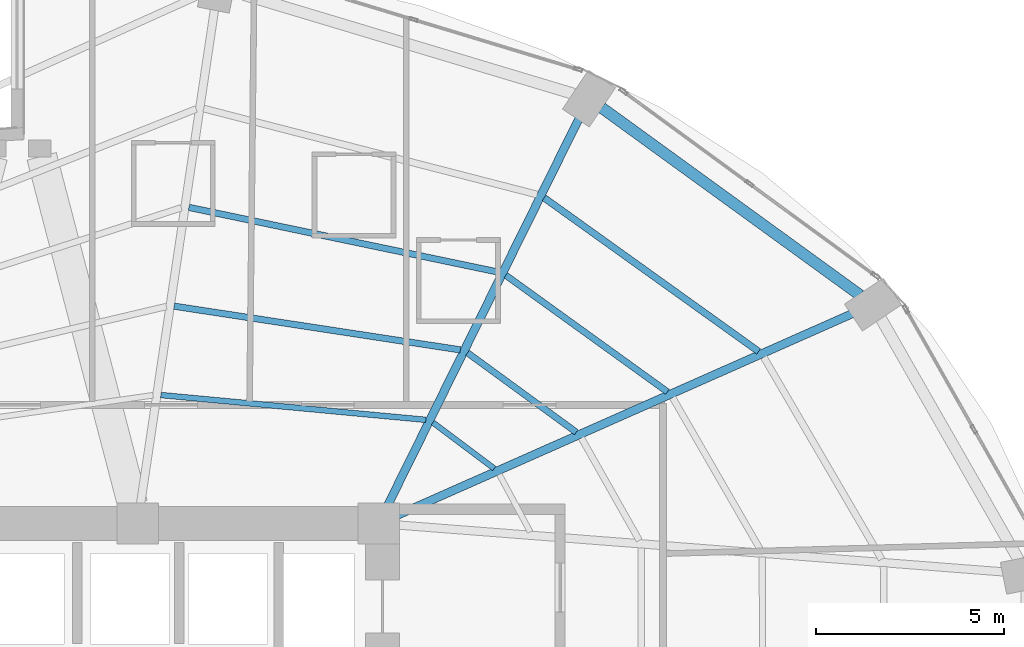
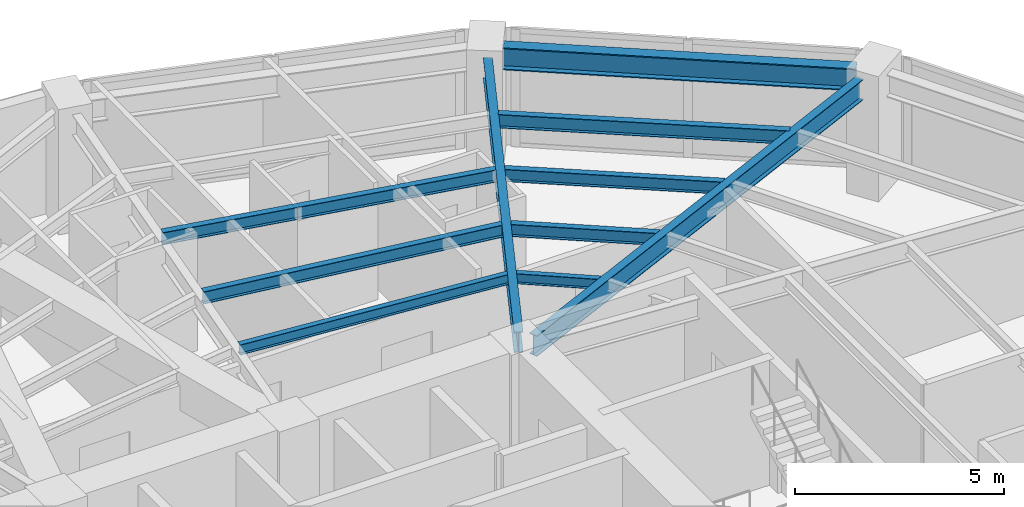
# One storey, part 16 of 25: 10 beams.
"""IFC4 building model written with IfcOpenShell, lengths in metres."""

from ifc_helpers import new_model, si_unit, direction, frame, origin, origin_2d, place, context, subcontext, project, spatial, i_section, extrude, material, material_profile, profile_set, type_object, element, save


model = new_model("IFC4")

# Units and contexts
model_context = context("Model", 3, precision=1e-05, world=origin(), true_north=direction((0.0, 1.0)))
body_context = subcontext(model_context, "Body", "Model", "MODEL_VIEW")
ifc_project = project(units=[si_unit("LENGTHUNIT", "METRE"), si_unit("AREAUNIT", "SQUARE_METRE"), si_unit("VOLUMEUNIT", "CUBIC_METRE"), si_unit("PLANEANGLEUNIT", "RADIAN"), si_unit("MASSUNIT", "GRAM", prefix="KILO")], contexts=[model_context])

# Site, building, storey
site_placement = place(None, origin())
site = spatial("IfcSite", under=ifc_project, at=site_placement, CompositionType="ELEMENT")
building_placement = place(site_placement, origin())
building = spatial("IfcBuilding", under=site, at=building_placement, Name="Lazwardi Medical Tower", CompositionType="ELEMENT")
storey_placement = place(building_placement, frame((0.0, 0.0, 32.49609375)))
storey = spatial("IfcBuildingStorey", under=building, at=storey_placement, Name="L07", CompositionType="ELEMENT", Elevation=32.49609375)

# Beams
ifc_material = material(Name="Steel S355", Category="steel")
ifc_material_profile_1 = material_profile(ifc_material, i_section(OverallWidth=0.300048828125, OverallDepth=0.64990234375, WebThickness=0.01611328125, FlangeThickness=0.031005859375, at=origin_2d()), Name="HEB 650")
ifc_profile_set_1 = profile_set([ifc_material_profile_1], Name="Steel S355")
beam_type_1 = type_object("IfcBeamType", Name="BM-RB-Z1", PredefinedType="BEAM", material=ifc_profile_set_1)
beam_1_placement = place(storey_placement, frame((58.3798828125, 41.660888671875, 3.10302734375), z_axis=(-0.809407079515, 0.587247971159, 0.0), x_axis=(-0.587247971159, -0.809407079515, 0.0)))
element("IfcBeam", 1, at=beam_1_placement, inside=storey, type_object=beam_type_1, Name="Ring beam RB-02 B06 L07", PredefinedType="BEAM", context=body_context, shape_type="SweptSolid", body=[
    extrude(i_section(OverallWidth=0.300048828125, OverallDepth=0.64990234375, WebThickness=0.01611328125, FlangeThickness=0.031005859375, at=origin_2d()), origin(), (0.0, 0.0, 1.0), 8.473876953125),
])
ifc_material_profile_2 = material_profile(ifc_material, i_section(OverallWidth=0.219970703125, OverallDepth=0.60009765625, WebThickness=0.011962890625, FlangeThickness=0.01904296875, at=origin_2d()), Name="IPE 600")
ifc_profile_set_2 = profile_set([ifc_material_profile_2], Name="Steel S355")
beam_type_2 = type_object("IfcBeamType", Name="BM-RG-W1", PredefinedType="BEAM", material=ifc_profile_set_2)
beam_2_placement = place(storey_placement, frame((58.189697265625, 41.17919921875, 3.1279296875), z_axis=(-0.914252189566, -0.405145571214, 0.0), x_axis=(0.405145571214, -0.914252189566, 0.0)))
element("IfcBeam", 2, at=beam_2_placement, inside=storey, type_object=beam_type_2, Name="Radial girder RG-02 R06 L07", PredefinedType="BEAM", context=body_context, shape_type="SweptSolid", body=[
    extrude(i_section(OverallWidth=0.219970703125, OverallDepth=0.60009765625, WebThickness=0.011962890625, FlangeThickness=0.01904296875, at=origin_2d()), origin(), (0.0, 0.0, 1.0), 13.235595703125),
])
beam_3_placement = place(storey_placement, frame((50.923828125, 46.364013671875, 3.1279296875), z_axis=(-0.443336723706, -0.896355146922, 0.0), x_axis=(0.896355146922, -0.443336723706, 0.0)))
element("IfcBeam", 3, at=beam_3_placement, inside=storey, type_object=beam_type_2, Name="Radial girder RG-02 R07 L07", PredefinedType="BEAM", context=body_context, shape_type="SweptSolid", body=[
    extrude(i_section(OverallWidth=0.219970703125, OverallDepth=0.60009765625, WebThickness=0.011962890625, FlangeThickness=0.01904296875, at=origin_2d()), origin(), (0.0, 0.0, 1.0), 11.4736328125),
])
ifc_material_profile_3 = material_profile(ifc_material, i_section(OverallWidth=0.179931640625, OverallDepth=0.39990234375, WebThickness=0.008544921875, FlangeThickness=0.013427734375, at=origin_2d()), Name="IPE 400")
ifc_profile_set_3 = profile_set([ifc_material_profile_3], Name="Steel S355")
beam_type_3 = type_object("IfcBeamType", Name="BM-SJ-01", PredefinedType="JOIST", material=ifc_profile_set_3)
beam_4_placement = place(storey_placement, frame((55.68408203125, 40.16796875, 3.22802734375), z_axis=(-0.812901036873, 0.582401840872, 0.0), x_axis=(-0.582401840872, -0.812901036873, 0.0)))
element("IfcBeam", 4, at=beam_4_placement, inside=storey, type_object=beam_type_3, Name="Secondary joist SJ-01 R1 B06 L07", PredefinedType="JOIST", context=body_context, shape_type="SweptSolid", body=[
    extrude(i_section(OverallWidth=0.179931640625, OverallDepth=0.39990234375, WebThickness=0.008544921875, FlangeThickness=0.013427734375, at=origin_2d()), origin(), (0.0, 0.0, 1.0), 7.002197265625),
])
ifc_material_profile_4 = material_profile(ifc_material, i_section(OverallWidth=0.169921875, OverallDepth=0.360107421875, WebThickness=0.008056640625, FlangeThickness=0.0126953125, at=origin_2d()), Name="IPE 360")
ifc_profile_set_4 = profile_set([ifc_material_profile_4], Name="Steel S355")
beam_type_4 = type_object("IfcBeamType", Name="BM-SJ-02", PredefinedType="JOIST", material=ifc_profile_set_4)
beam_5_placement = place(storey_placement, frame((53.26416015625, 39.095703125, 3.247802734375), z_axis=(-0.811142764961, 0.584848198127, 0.0), x_axis=(-0.584848198127, -0.811142764961, 0.0)))
element("IfcBeam", 5, at=beam_5_placement, inside=storey, type_object=beam_type_4, Name="Secondary joist SJ-02 R2 B06 L07", PredefinedType="JOIST", context=body_context, shape_type="SweptSolid", body=[
    extrude(i_section(OverallWidth=0.169921875, OverallDepth=0.360107421875, WebThickness=0.008056640625, FlangeThickness=0.0126953125, at=origin_2d()), origin(), (0.0, 0.0, 1.0), 5.28857421875),
])
beam_6_placement = place(storey_placement, frame((48.786376953125, 42.271728515625, 3.247802734375), z_axis=(-0.978809182847, 0.204774470026, 0.0), x_axis=(-0.204774470026, -0.978809182847, 0.0)))
element("IfcBeam", 6, at=beam_6_placement, inside=storey, type_object=beam_type_4, Name="Secondary joist SJ-02 R2 B07 L07", PredefinedType="JOIST", context=body_context, shape_type="SweptSolid", body=[
    extrude(i_section(OverallWidth=0.169921875, OverallDepth=0.360107421875, WebThickness=0.008056640625, FlangeThickness=0.0126953125, at=origin_2d()), origin(), (0.0, 0.0, 1.0), 8.40283203125),
])
beam_7_placement = place(storey_placement, frame((50.844482421875, 38.023681640625, 3.247802734375), z_axis=(-0.80770129933, 0.589591902132, 0.0), x_axis=(-0.589591902132, -0.80770129933, 0.0)))
element("IfcBeam", 7, at=beam_7_placement, inside=storey, type_object=beam_type_4, Name="Secondary joist SJ-02 R3 B06 L07", PredefinedType="JOIST", context=body_context, shape_type="SweptSolid", body=[
    extrude(i_section(OverallWidth=0.169921875, OverallDepth=0.360107421875, WebThickness=0.008056640625, FlangeThickness=0.0126953125, at=origin_2d()), origin(), (0.0, 0.0, 1.0), 3.5751953125),
])
beam_8_placement = place(storey_placement, frame((47.76806640625, 40.209228515625, 3.247802734375), z_axis=(-0.988535611365, 0.150987897074, 0.0), x_axis=(-0.150987897074, -0.988535611365, 0.0)))
element("IfcBeam", 8, at=beam_8_placement, inside=storey, type_object=beam_type_4, Name="Secondary joist SJ-02 R3 B07 L07", PredefinedType="JOIST", context=body_context, shape_type="SweptSolid", body=[
    extrude(i_section(OverallWidth=0.169921875, OverallDepth=0.360107421875, WebThickness=0.008056640625, FlangeThickness=0.0126953125, at=origin_2d()), origin(), (0.0, 0.0, 1.0), 7.68701171875),
])
ifc_material_profile_5 = material_profile(ifc_material, i_section(OverallWidth=0.14990234375, OverallDepth=0.300048828125, WebThickness=0.007080078125, FlangeThickness=0.0107421875, at=origin_2d()), Name="IPE 300")
ifc_profile_set_5 = profile_set([ifc_material_profile_5], Name="Steel S355")
beam_type_5 = type_object("IfcBeamType", Name="BM-SJ-03", PredefinedType="JOIST", material=ifc_profile_set_5)
beam_9_placement = place(storey_placement, frame((48.667236328125, 37.0595703125, 3.27783203125), z_axis=(-0.800115247939, 0.599846305328, 0.0), x_axis=(-0.599846305328, -0.800115247939, 0.0)))
element("IfcBeam", 9, at=beam_9_placement, inside=storey, type_object=beam_type_5, Name="Secondary joist SJ-03 R4 B06 L07", PredefinedType="JOIST", context=body_context, shape_type="SweptSolid", body=[
    extrude(i_section(OverallWidth=0.14990234375, OverallDepth=0.300048828125, WebThickness=0.007080078125, FlangeThickness=0.0107421875, at=origin_2d()), origin(), (0.0, 0.0, 1.0), 2.033447265625),
])
beam_10_placement = place(storey_placement, frame((46.851806640625, 38.35205078125, 3.27783203125), z_axis=(-0.995649263748, 0.093180167407, 0.0), x_axis=(-0.093180167407, -0.995649263748, 0.0)))
element("IfcBeam", 10, at=beam_10_placement, inside=storey, type_object=beam_type_5, Name="Secondary joist SJ-03 R4 B07 L07", PredefinedType="JOIST", context=body_context, shape_type="SweptSolid", body=[
    extrude(i_section(OverallWidth=0.14990234375, OverallDepth=0.300048828125, WebThickness=0.007080078125, FlangeThickness=0.0107421875, at=origin_2d()), origin(), (0.0, 0.0, 1.0), 7.06640625),
])

save(model, "model.ifc")
